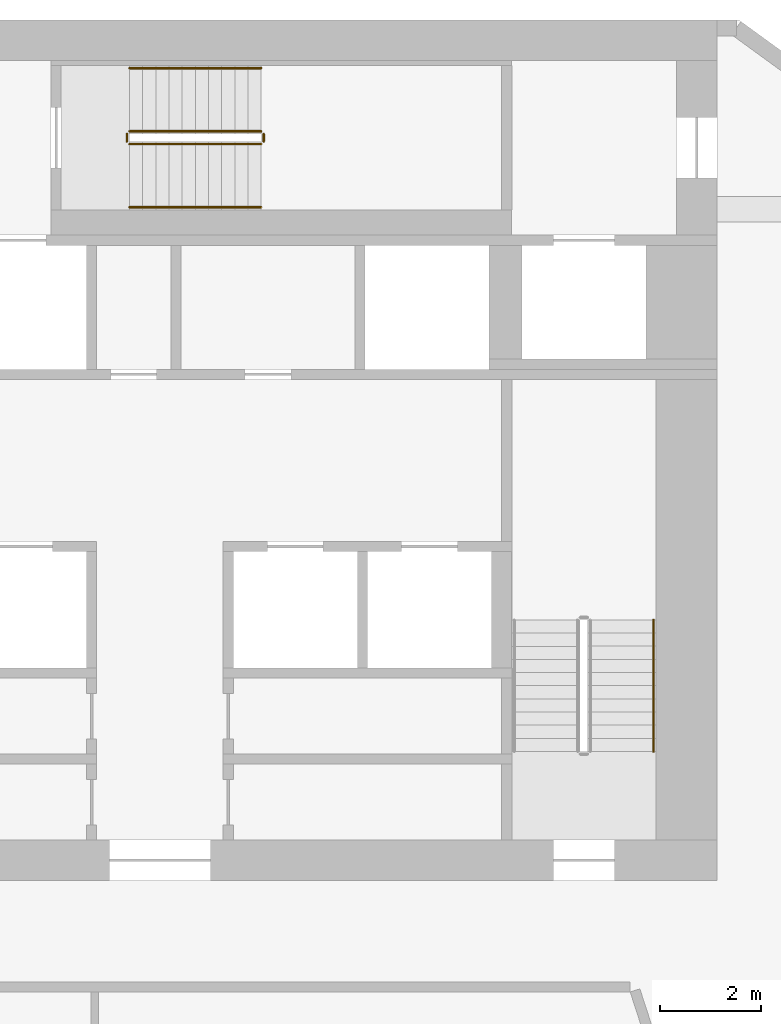
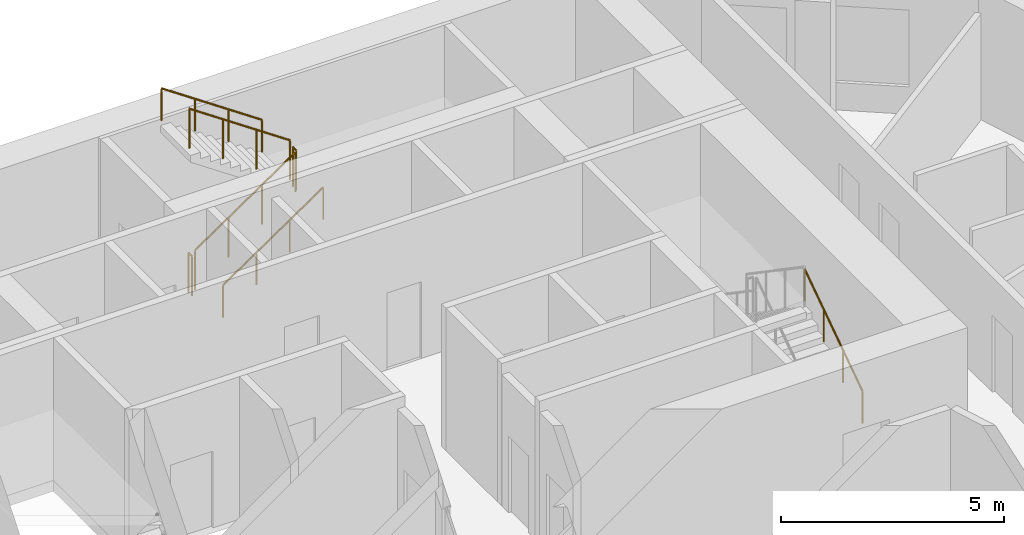
# One storey, part 9 of 9: 7 railings.
"""IFC4 building model written with IfcOpenShell, lengths in metres."""

from ifc_helpers import new_model, si_unit, direction, frame, origin, origin_2d, place, context, subcontext, project, spatial, circle, extrude, material, type_object, element, save


model = new_model("IFC4")

# Units and contexts
model_context = context("Model", 3, precision=1e-05, world=origin(), true_north=direction((0.0, 1.0)))
body_context = subcontext(model_context, "Body", "Model", "MODEL_VIEW")
ifc_project = project(units=[si_unit("LENGTHUNIT", "METRE"), si_unit("AREAUNIT", "SQUARE_METRE"), si_unit("VOLUMEUNIT", "CUBIC_METRE"), si_unit("PLANEANGLEUNIT", "RADIAN"), si_unit("MASSUNIT", "GRAM", prefix="KILO")], contexts=[model_context])

# Site, building, storey
site_placement = place(None, origin())
site = spatial("IfcSite", under=ifc_project, at=site_placement, CompositionType="ELEMENT")
building_placement = place(site_placement, origin())
building = spatial("IfcBuilding", under=site, at=building_placement, Name="White Candle Pilgrim Tower", CompositionType="ELEMENT")
storey_placement = place(building_placement, frame((0.0, 0.0, 216.0)))
storey = spatial("IfcBuildingStorey", under=building, at=storey_placement, Name="L50", CompositionType="ELEMENT", Elevation=216.0)

# Railings
ifc_material = material(Name="Stainless steel", Category="steel")
railing_type_1 = type_object("IfcRailingType", Name="Stair guard stainless steel 1100 mm", PredefinedType="GUARDRAIL", material=ifc_material)
railing_1_placement = place(storey_placement, frame((69.39990234375, 85.550048828125, 0.17724609375)))
element("IfcRailing", 1, at=railing_1_placement, inside=storey, type_object=railing_type_1, Name="L50 ST3 stair guard 1", PredefinedType="GUARDRAIL", context=body_context, shape_type="SweptSolid", body=[
    extrude(circle(Radius=0.02392578125, at=origin_2d()), frame((0.0, 0.0, 1.076171875), z_axis=(0.826240473404, 0.0, 0.563317565952), x_axis=(0.0, 1.0, 0.0)), (0.0, 0.0, 1.0), 3.14697265625),
    extrude(circle(Radius=0.02099609375, at=origin_2d()), origin(), (0.0, 0.0, 1.0), 1.052001953125),
    extrude(circle(Radius=0.02099609375, at=origin_2d()), frame((0.86669921875, 0.0, 0.5908203125)), (0.0, 0.0, 1.0), 1.052001953125),
    extrude(circle(Radius=0.02099609375, at=origin_2d()), frame((1.7333984375, 0.0, 1.181884765625)), (0.0, 0.0, 1.0), 1.052001953125),
    extrude(circle(Radius=0.02099609375, at=origin_2d()), frame((2.60009765625, 0.0, 1.772705078125)), (0.0, 0.0, 1.0), 1.052001953125),
])
railing_2_placement = place(storey_placement, frame((72.050048828125, 85.60009765625, 1.949951171875)))
element("IfcRailing", 2, at=railing_2_placement, inside=storey, type_object=railing_type_1, Name="L50 ST3 stair guard 2", PredefinedType="GUARDRAIL", context=body_context, shape_type="SweptSolid", body=[
    extrude(circle(Radius=0.02392578125, at=origin_2d()), frame((0.0, 0.0, 1.076171875), z_axis=(0.0, 1.0, 0.0), x_axis=(-1.0, 0.0, 0.0)), (0.0, 0.0, 1.0), 0.14990234375),
    extrude(circle(Radius=0.02099609375, at=origin_2d()), origin(), (0.0, 0.0, 1.0), 1.052001953125),
    extrude(circle(Radius=0.02099609375, at=origin_2d()), frame((0.0, 0.14990234375, 0.0)), (0.0, 0.0, 1.0), 1.052001953125),
])
railing_3_placement = place(storey_placement, frame((72.0, 85.800048828125, 2.127197265625)))
element("IfcRailing", 3, at=railing_3_placement, inside=storey, type_object=railing_type_1, Name="L50 ST3 stair guard 3", PredefinedType="GUARDRAIL", context=body_context, shape_type="SweptSolid", body=[
    extrude(circle(Radius=0.02392578125, at=origin_2d()), frame((0.0, 0.0, 1.076171875), z_axis=(-0.826240473404, 0.0, 0.563317565952), x_axis=(0.0, -1.0, 0.0)), (0.0, 0.0, 1.0), 3.14697265625),
    extrude(circle(Radius=0.02099609375, at=origin_2d()), origin(), (0.0, 0.0, 1.0), 1.052001953125),
    extrude(circle(Radius=0.02099609375, at=origin_2d()), frame((-0.86669921875, 0.0, 0.5908203125)), (0.0, 0.0, 1.0), 1.052001953125),
    extrude(circle(Radius=0.02099609375, at=origin_2d()), frame((-1.7333984375, 0.0, 1.181884765625)), (0.0, 0.0, 1.0), 1.052001953125),
    extrude(circle(Radius=0.02099609375, at=origin_2d()), frame((-2.60009765625, 0.0, 1.772705078125)), (0.0, 0.0, 1.0), 1.052001953125),
])
railing_4_placement = place(storey_placement, frame((69.35009765625, 85.60009765625, 0.0)))
element("IfcRailing", 4, at=railing_4_placement, inside=storey, type_object=railing_type_1, Name="L50 ST3 stair guard 4", PredefinedType="GUARDRAIL", context=body_context, shape_type="SweptSolid", body=[
    extrude(circle(Radius=0.02392578125, at=origin_2d()), frame((0.0, 0.0, 1.076171875), z_axis=(0.0, 1.0, 0.0), x_axis=(-1.0, 0.0, 0.0)), (0.0, 0.0, 1.0), 0.14990234375),
    extrude(circle(Radius=0.02099609375, at=origin_2d()), origin(), (0.0, 0.0, 1.0), 1.052001953125),
    extrude(circle(Radius=0.02099609375, at=origin_2d()), frame((0.0, 0.14990234375, 0.0)), (0.0, 0.0, 1.0), 1.052001953125),
])
railing_type_2 = type_object("IfcRailingType", Name="Stair handrail stainless steel", PredefinedType="HANDRAIL", material=ifc_material)
railing_5_placement = place(storey_placement, frame((79.75, 73.550048828125, 0.17724609375)))
element("IfcRailing", 5, at=railing_5_placement, inside=storey, type_object=railing_type_2, Name="L50 ST2 stair handrail 1", PredefinedType="HANDRAIL", context=body_context, shape_type="SweptSolid", body=[
    extrude(circle(Radius=0.02392578125, at=origin_2d()), frame((0.0, 0.0, 0.8759765625), z_axis=(0.0, 0.826215852431, 0.563353676824), x_axis=(-1.0, 0.0, 0.0)), (0.0, 0.0, 1.0), 3.146728515625),
    extrude(circle(Radius=0.02099609375, at=origin_2d()), origin(), (0.0, 0.0, 1.0), 0.851806640625),
    extrude(circle(Radius=0.02099609375, at=origin_2d()), frame((0.0, 0.86669921875, 0.5908203125)), (0.0, 0.0, 1.0), 0.851806640625),
    extrude(circle(Radius=0.02099609375, at=origin_2d()), frame((0.0, 1.733154296875, 1.181884765625)), (0.0, 0.0, 1.0), 0.851806640625),
    extrude(circle(Radius=0.02099609375, at=origin_2d()), frame((0.0, 2.599853515625, 1.772705078125)), (0.0, 0.0, 1.0), 0.851806640625),
])
railing_6_placement = place(storey_placement, frame((69.39990234375, 84.300048828125, 0.17724609375)))
element("IfcRailing", 6, at=railing_6_placement, inside=storey, type_object=railing_type_2, Name="L50 ST3 stair handrail 1", PredefinedType="HANDRAIL", context=body_context, shape_type="SweptSolid", body=[
    extrude(circle(Radius=0.02392578125, at=origin_2d()), frame((0.0, 0.0, 0.8759765625), z_axis=(0.826240473404, 0.0, 0.563317565952), x_axis=(0.0, 1.0, 0.0)), (0.0, 0.0, 1.0), 3.14697265625),
    extrude(circle(Radius=0.02099609375, at=origin_2d()), origin(), (0.0, 0.0, 1.0), 0.851806640625),
    extrude(circle(Radius=0.02099609375, at=origin_2d()), frame((0.86669921875, 0.0, 0.5908203125)), (0.0, 0.0, 1.0), 0.851806640625),
    extrude(circle(Radius=0.02099609375, at=origin_2d()), frame((1.7333984375, 0.0, 1.181884765625)), (0.0, 0.0, 1.0), 0.851806640625),
    extrude(circle(Radius=0.02099609375, at=origin_2d()), frame((2.60009765625, 0.0, 1.772705078125)), (0.0, 0.0, 1.0), 0.851806640625),
])
railing_7_placement = place(storey_placement, frame((72.0, 87.050048828125, 2.127197265625)))
element("IfcRailing", 7, at=railing_7_placement, inside=storey, type_object=railing_type_2, Name="L50 ST3 stair handrail 2", PredefinedType="HANDRAIL", context=body_context, shape_type="SweptSolid", body=[
    extrude(circle(Radius=0.02392578125, at=origin_2d()), frame((0.0, 0.0, 0.8759765625), z_axis=(-0.826240473404, 0.0, 0.563317565952), x_axis=(0.0, -1.0, 0.0)), (0.0, 0.0, 1.0), 3.14697265625),
    extrude(circle(Radius=0.02099609375, at=origin_2d()), origin(), (0.0, 0.0, 1.0), 0.851806640625),
    extrude(circle(Radius=0.02099609375, at=origin_2d()), frame((-0.86669921875, 0.0, 0.5908203125)), (0.0, 0.0, 1.0), 0.851806640625),
    extrude(circle(Radius=0.02099609375, at=origin_2d()), frame((-1.7333984375, 0.0, 1.181884765625)), (0.0, 0.0, 1.0), 0.851806640625),
    extrude(circle(Radius=0.02099609375, at=origin_2d()), frame((-2.60009765625, 0.0, 1.772705078125)), (0.0, 0.0, 1.0), 0.851806640625),
])

save(model, "model.ifc")
